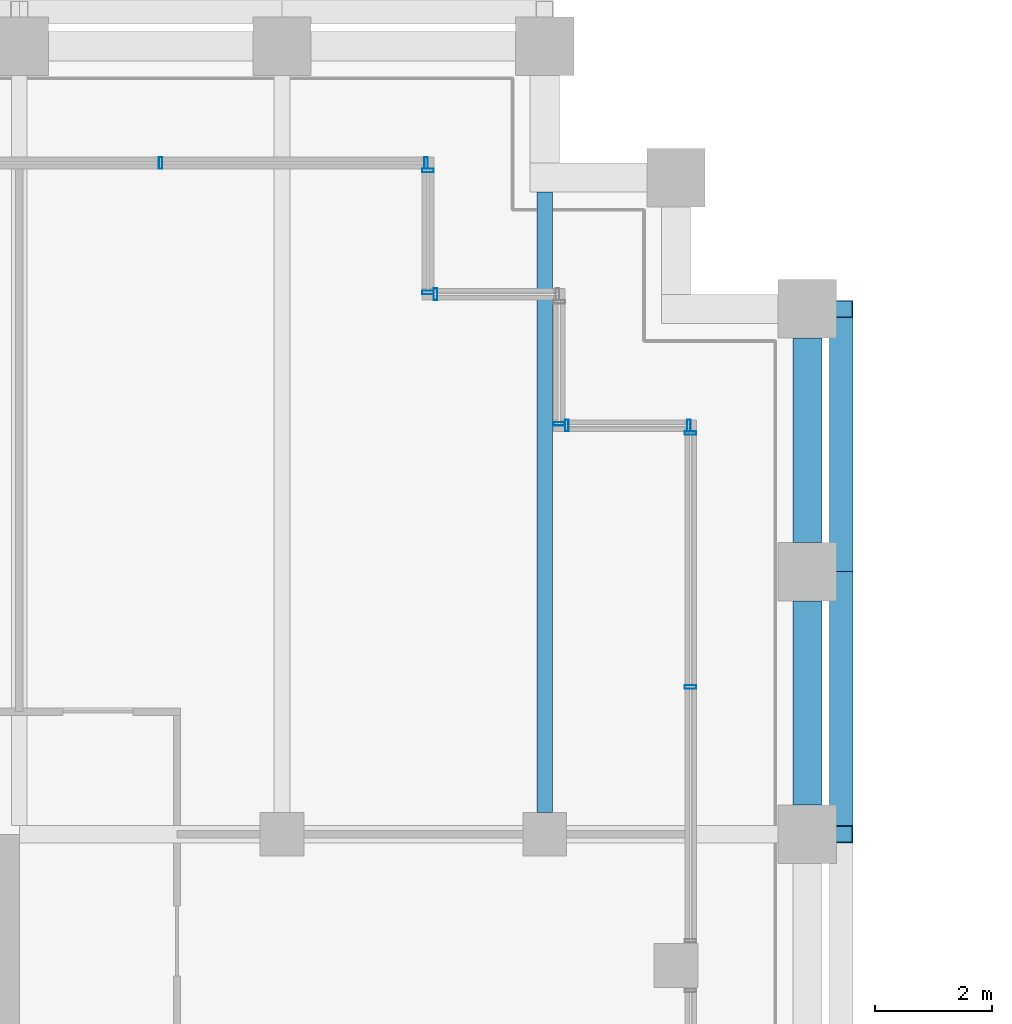
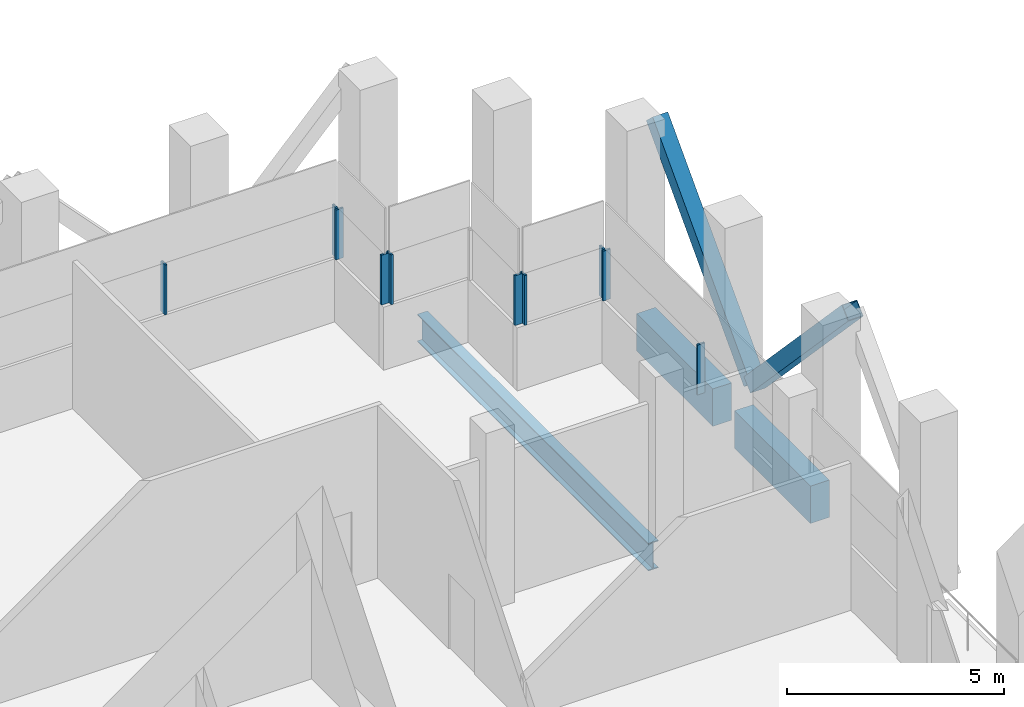
# One storey, part 19 of 48: 12 members, 3 beams, 6 elements without a shape of their own.
"""IFC4 building model written with IfcOpenShell, lengths in metres."""

from ifc_helpers import new_model, si_unit, direction, frame, origin, origin_2d, place, context, subcontext, project, spatial, rectangle, hollow_rectangle, i_section, extrude, material, material_profile, profile_set, type_object, element, aggregate, save


model = new_model("IFC4")

# Units and contexts
model_context = context("Model", 3, precision=1e-05, world=origin(), true_north=direction((0.0, 1.0)))
body_context = subcontext(model_context, "Body", "Model", "MODEL_VIEW")
ifc_project = project(units=[si_unit("LENGTHUNIT", "METRE"), si_unit("AREAUNIT", "SQUARE_METRE"), si_unit("VOLUMEUNIT", "CUBIC_METRE"), si_unit("PLANEANGLEUNIT", "RADIAN"), si_unit("MASSUNIT", "GRAM", prefix="KILO")], contexts=[model_context])

# Site, building, storey
site_placement = place(None, origin())
site = spatial("IfcSite", under=ifc_project, at=site_placement, CompositionType="ELEMENT")
building_placement = place(site_placement, origin())
building = spatial("IfcBuilding", under=site, at=building_placement, Name="Altepetl Exchange Towers", CompositionType="ELEMENT")
storey_placement = place(building_placement, frame((0.0, 0.0, 138.800048828125)))
storey = spatial("IfcBuildingStorey", under=building, at=storey_placement, Name="L34 Refuge and sky lobby", CompositionType="ELEMENT", Elevation=138.800048828125)

# Members
ifc_material_1 = material(Name="Steel S355", Category="steel")
ifc_material_profile_1 = material_profile(ifc_material_1, hollow_rectangle(XDim=0.406005859375, YDim=0.406005859375, WallThickness=0.014892578125, at=origin_2d()), Name="HSS406X406X15.9")
ifc_profile_set_1 = profile_set([ifc_material_profile_1], Name="Steel S355")
member_type_1 = type_object("IfcMemberType", Name="Belt diagonal HSS406X406X15.9", PredefinedType="BRACE", material=ifc_profile_set_1)
for number, where, z_axis, x_axis, name in (
    (1, (72.580078125, 58.5, 4.75), (0.0, 0.687744647911, -0.725952683906), (-1.0, 0.0, 0.0), "brc:A:L34:011"),
    (2, (72.580078125, 63.0, 0.0), (0.0, 0.687744647911, 0.725952683906), (-1.0, 0.0, 0.0), "brc:A:L34:012"),
):
    element("IfcMember", number, at=place(storey_placement, frame(where, z_axis=z_axis, x_axis=x_axis)), inside=storey, type_object=member_type_1, Name=name, PredefinedType="BRACE", context=body_context, shape_type="SweptSolid", body=[
        extrude(hollow_rectangle(XDim=0.406005859375, YDim=0.406005859375, WallThickness=0.014892578125, at=origin_2d()), origin(), (0.0, 0.0, 1.0), 6.543212890625),
    ])

# Beam
ifc_material_profile_2 = material_profile(ifc_material_1, i_section(OverallWidth=0.26806640625, OverallDepth=0.77392578125, WebThickness=0.015380859375, FlangeThickness=0.025390625, at=origin_2d()), Name="W30X132")
ifc_profile_set_2 = profile_set([ifc_material_profile_2], Name="Steel S355")
beam_type_1 = type_object("IfcBeamType", Name="Floor beam W30X132", PredefinedType="BEAM", material=ifc_profile_set_2)
beam_placement = place(storey_placement, frame((67.5, 58.875, -0.587158203125), z_axis=(0.0, 1.0, 0.0), x_axis=(-1.0, 0.0, 0.0)))
element("IfcBeam", 3, at=beam_placement, inside=storey, type_object=beam_type_1, Name="bm:A:L34:005", PredefinedType="BEAM", context=body_context, shape_type="SweptSolid", body=[
    extrude(i_section(OverallWidth=0.26806640625, OverallDepth=0.77392578125, WebThickness=0.015380859375, FlangeThickness=0.025390625, at=origin_2d()), origin(), (0.0, 0.0, 1.0), 10.625),
])

# Curtain wall, members
ifc_material_2 = material(Name="Aluminium 6063-T6 glazing", Category="aluminium")
curtain_wall_type = type_object("IfcCurtainWallType", Name="Refuge slit glazing system", PredefinedType="NOTDEFINED", material=ifc_material_2)
curtain_wall_1_placement = place(storey_placement, origin())
curtain_wall_1 = element("IfcCurtainWall", 4, at=curtain_wall_1_placement, inside=storey, type_object=curtain_wall_type, Name="CW3 run", PredefinedType="NOTDEFINED")
ifc_material_3 = material(Name="Aluminium 6063-T6", Category="aluminium")
ifc_material_profile_3 = material_profile(ifc_material_3, hollow_rectangle(XDim=0.06005859375, YDim=0.199951171875, WallThickness=0.0029296875, at=origin_2d()), Name="Mullion 60x200 aluminium")
ifc_profile_set_3 = profile_set([ifc_material_profile_3], Name="Aluminium 6063-T6")
member_type_2 = type_object("IfcMemberType", Name="Mullion 60x200 aluminium", PredefinedType="MULLION", material=ifc_profile_set_3)
member_1_placement = place(storey_placement, frame((70.0, 61.0224609375, 1.800048828125), z_axis=(0.0, 0.0, 1.0), x_axis=(0.0, 1.0, 0.0)))
member_1 = element("IfcMember", 5, at=member_1_placement, type_object=member_type_2, Name="MU2 mullion", PredefinedType="MULLION", context=body_context, shape_type="SweptSolid", body=[
    extrude(hollow_rectangle(XDim=0.06005859375, YDim=0.199951171875, WallThickness=0.0029296875, at=origin_2d()), origin(), (0.0, 0.0, 1.0), 1.39990234375),
])
member_2_placement = place(storey_placement, frame((70.0, 65.3701171875, 1.800048828125), z_axis=(0.0, 0.0, 1.0), x_axis=(0.0, 1.0, 0.0)))
member_2 = element("IfcMember", 6, at=member_2_placement, type_object=member_type_2, Name="MU2 mullion", PredefinedType="MULLION", context=body_context, shape_type="SweptSolid", body=[
    extrude(hollow_rectangle(XDim=0.06005859375, YDim=0.199951171875, WallThickness=0.0029296875, at=origin_2d()), origin(), (0.0, 0.0, 1.0), 1.39990234375),
])
aggregate(curtain_wall_1, [member_1, member_2])

curtain_wall_2_placement = place(storey_placement, origin())
curtain_wall_2 = element("IfcCurtainWall", 7, at=curtain_wall_2_placement, inside=storey, type_object=curtain_wall_type, Name="CW3 run", PredefinedType="NOTDEFINED")
member_3_placement = place(storey_placement, frame((69.969970703125, 65.5, 1.800048828125), z_axis=(0.0, 0.0, 1.0), x_axis=(-1.0, 0.0, 0.0)))
member_3 = element("IfcMember", 8, at=member_3_placement, type_object=member_type_2, Name="MU2 mullion", PredefinedType="MULLION", context=body_context, shape_type="SweptSolid", body=[
    extrude(hollow_rectangle(XDim=0.06005859375, YDim=0.199951171875, WallThickness=0.0029296875, at=origin_2d()), origin(), (0.0, 0.0, 1.0), 1.39990234375),
])
member_4_placement = place(storey_placement, frame((67.8798828125, 65.5, 1.800048828125), z_axis=(0.0, 0.0, 1.0), x_axis=(-1.0, 0.0, 0.0)))
member_4 = element("IfcMember", 9, at=member_4_placement, type_object=member_type_2, Name="MU2 mullion", PredefinedType="MULLION", context=body_context, shape_type="SweptSolid", body=[
    extrude(hollow_rectangle(XDim=0.06005859375, YDim=0.199951171875, WallThickness=0.0029296875, at=origin_2d()), origin(), (0.0, 0.0, 1.0), 1.39990234375),
])
aggregate(curtain_wall_2, [member_3, member_4])

# Curtain wall, member
curtain_wall_3_placement = place(storey_placement, origin())
curtain_wall_3 = element("IfcCurtainWall", 10, at=curtain_wall_3_placement, inside=storey, type_object=curtain_wall_type, Name="CW3 run", PredefinedType="NOTDEFINED")
member_5_placement = place(storey_placement, frame((67.75, 65.530029296875, 1.800048828125), z_axis=(0.0, 0.0, 1.0), x_axis=(0.0, 1.0, 0.0)))
member_5 = element("IfcMember", 11, at=member_5_placement, type_object=member_type_2, Name="MU2 mullion", PredefinedType="MULLION", context=body_context, shape_type="SweptSolid", body=[
    extrude(hollow_rectangle(XDim=0.06005859375, YDim=0.199951171875, WallThickness=0.0029296875, at=origin_2d()), origin(), (0.0, 0.0, 1.0), 1.39990234375),
])
aggregate(curtain_wall_3, [member_5])

curtain_wall_4_placement = place(storey_placement, origin())
curtain_wall_4 = element("IfcCurtainWall", 12, at=curtain_wall_4_placement, inside=storey, type_object=curtain_wall_type, Name="CW3 run", PredefinedType="NOTDEFINED")
member_6_placement = place(storey_placement, frame((65.6298828125, 67.75, 1.800048828125), z_axis=(0.0, 0.0, 1.0), x_axis=(-1.0, 0.0, 0.0)))
member_6 = element("IfcMember", 13, at=member_6_placement, type_object=member_type_2, Name="MU2 mullion", PredefinedType="MULLION", context=body_context, shape_type="SweptSolid", body=[
    extrude(hollow_rectangle(XDim=0.06005859375, YDim=0.199951171875, WallThickness=0.0029296875, at=origin_2d()), origin(), (0.0, 0.0, 1.0), 1.39990234375),
])
aggregate(curtain_wall_4, [member_6])

# Curtain wall, members
curtain_wall_5_placement = place(storey_placement, origin())
curtain_wall_5 = element("IfcCurtainWall", 14, at=curtain_wall_5_placement, inside=storey, type_object=curtain_wall_type, Name="CW3 run", PredefinedType="NOTDEFINED")
member_7_placement = place(storey_placement, frame((65.5, 67.780029296875, 1.800048828125), z_axis=(0.0, 0.0, 1.0), x_axis=(0.0, 1.0, 0.0)))
member_7 = element("IfcMember", 15, at=member_7_placement, type_object=member_type_2, Name="MU2 mullion", PredefinedType="MULLION", context=body_context, shape_type="SweptSolid", body=[
    extrude(hollow_rectangle(XDim=0.06005859375, YDim=0.199951171875, WallThickness=0.0029296875, at=origin_2d()), origin(), (0.0, 0.0, 1.0), 1.39990234375),
])
member_8_placement = place(storey_placement, frame((65.5, 69.8701171875, 1.800048828125), z_axis=(0.0, 0.0, 1.0), x_axis=(0.0, 1.0, 0.0)))
member_8 = element("IfcMember", 16, at=member_8_placement, type_object=member_type_2, Name="MU2 mullion", PredefinedType="MULLION", context=body_context, shape_type="SweptSolid", body=[
    extrude(hollow_rectangle(XDim=0.06005859375, YDim=0.199951171875, WallThickness=0.0029296875, at=origin_2d()), origin(), (0.0, 0.0, 1.0), 1.39990234375),
])
aggregate(curtain_wall_5, [member_7, member_8])

curtain_wall_6_placement = place(storey_placement, origin())
curtain_wall_6 = element("IfcCurtainWall", 17, at=curtain_wall_6_placement, inside=storey, type_object=curtain_wall_type, Name="CW3 run", PredefinedType="NOTDEFINED")
member_9_placement = place(storey_placement, frame((65.469970703125, 70.0, 1.800048828125), z_axis=(0.0, 0.0, 1.0), x_axis=(-1.0, 0.0, 0.0)))
member_9 = element("IfcMember", 18, at=member_9_placement, type_object=member_type_2, Name="MU2 mullion", PredefinedType="MULLION", context=body_context, shape_type="SweptSolid", body=[
    extrude(hollow_rectangle(XDim=0.06005859375, YDim=0.199951171875, WallThickness=0.0029296875, at=origin_2d()), origin(), (0.0, 0.0, 1.0), 1.39990234375),
])
member_10_placement = place(storey_placement, frame((60.919921875, 70.0, 1.800048828125), z_axis=(0.0, 0.0, 1.0), x_axis=(-1.0, 0.0, 0.0)))
member_10 = element("IfcMember", 19, at=member_10_placement, type_object=member_type_2, Name="MU2 mullion", PredefinedType="MULLION", context=body_context, shape_type="SweptSolid", body=[
    extrude(hollow_rectangle(XDim=0.06005859375, YDim=0.199951171875, WallThickness=0.0029296875, at=origin_2d()), origin(), (0.0, 0.0, 1.0), 1.39990234375),
])
aggregate(curtain_wall_6, [member_9, member_10])

# Beams
ifc_material_4 = material(Name="Concrete C50/60 precast with cantera rosa facing", Category="concrete")
ifc_material_profile_4 = material_profile(ifc_material_4, rectangle(XDim=0.5, YDim=1.050048828125, at=origin_2d()), Name="500 x 1050")
ifc_profile_set_4 = profile_set([ifc_material_profile_4], Name="Concrete C50/60 precast with cantera rosa facing")
beam_type_2 = type_object("IfcBeamType", Name="Spandrel beam 500x1050 cantera rosa", PredefinedType="SPANDREL", material=ifc_profile_set_4)
for number, where, z_axis, x_axis, name in (
    (20, (72.0, 59.0, -0.72509765625), (0.0, 1.0, 0.0), (-1.0, 0.0, 0.0), "sp:A:L34:018"),
    (21, (72.0, 63.5, -0.72509765625), (0.0, 1.0, 0.0), (-1.0, 0.0, 0.0), "sp:A:L34:019"),
):
    element("IfcBeam", number, at=place(storey_placement, frame(where, z_axis=z_axis, x_axis=x_axis)), inside=storey, type_object=beam_type_2, Name=name, PredefinedType="SPANDREL", context=body_context, shape_type="SweptSolid", body=[
        extrude(rectangle(XDim=0.5, YDim=1.050048828125, at=origin_2d()), origin(), (0.0, 0.0, 1.0), 3.5),
    ])

save(model, "model.ifc")
